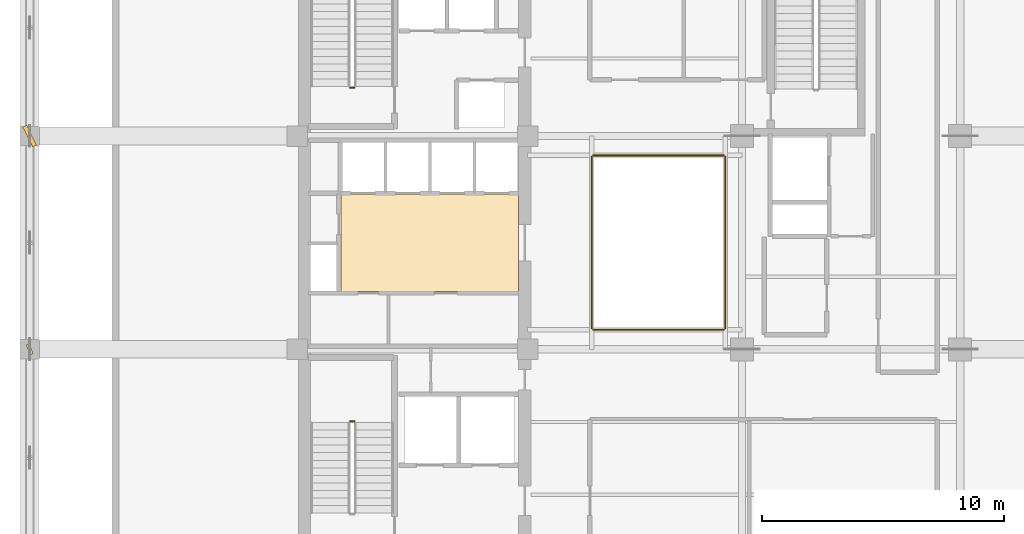
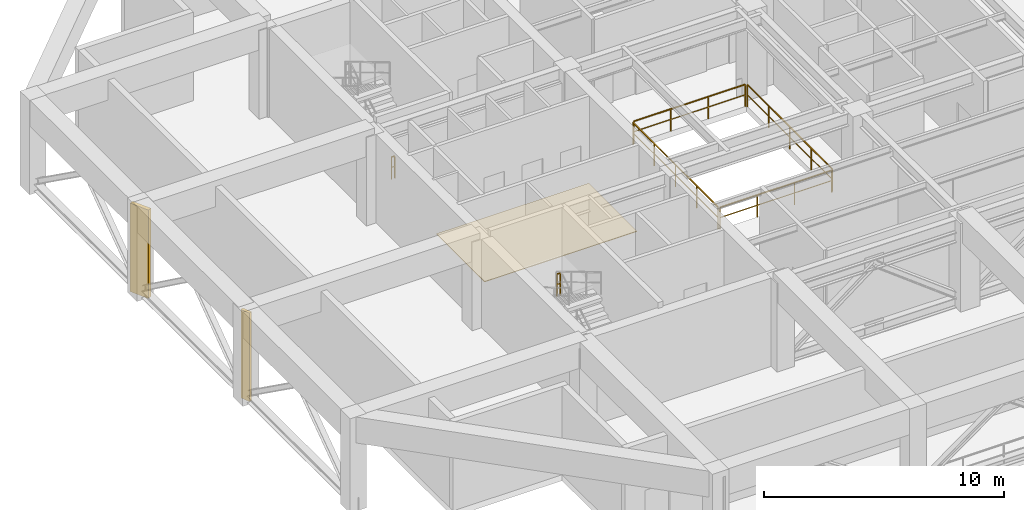
# One storey, part 8 of 10: 6 railings, 2 shading devices, 1 covering.
"""IFC4 building model written with IfcOpenShell, lengths in metres."""

from ifc_helpers import new_model, si_unit, direction, frame, origin, origin_2d, place, context, subcontext, project, spatial, polyline, rectangle, outline, extrude, material, layer, layer_set, type_object, element, save


model = new_model("IFC4")

# Units and contexts
model_context = context("Model", 3, precision=1e-05, world=origin(), true_north=direction((0.0, 1.0)))
body_context = subcontext(model_context, "Body", "Model", "MODEL_VIEW")
ifc_project = project(units=[si_unit("LENGTHUNIT", "METRE"), si_unit("AREAUNIT", "SQUARE_METRE"), si_unit("VOLUMEUNIT", "CUBIC_METRE"), si_unit("PLANEANGLEUNIT", "RADIAN"), si_unit("MASSUNIT", "GRAM", prefix="KILO")], contexts=[model_context])

# Site, building, storey
site_placement = place(None, origin())
site = spatial("IfcSite", under=ifc_project, at=site_placement, CompositionType="ELEMENT")
building_placement = place(site_placement, origin())
building = spatial("IfcBuilding", under=site, at=building_placement, Name="Kundavana Baori Tower", CompositionType="ELEMENT")
storey_placement = place(building_placement, frame((0.0, 0.0, 204.10009765625)))
storey = spatial("IfcBuildingStorey", under=building, at=storey_placement, Name="L50", CompositionType="ELEMENT", Elevation=204.10009765625)

# Covering
ifc_material_1 = material(Name="Honed Kota Stone and Terrazzo Flooring", Category="masonry")
ifc_layer = layer(ifc_material_1, 0.030029296875, Name="COV-INT-FLR")
ifc_layer_set = layer_set([ifc_layer], Name="Honed Kota Stone and Terrazzo Flooring")
covering_type = type_object("IfcCoveringType", Name="COV-INT-FLR", PredefinedType="FLOORING", material=ifc_layer_set)
covering_placement = place(storey_placement, origin())
element("IfcCovering", 1, at=covering_placement, inside=storey, type_object=covering_type, Name="L50 Core Lift Lobby Kota Stone Flooring", PredefinedType="FLOORING", context=body_context, shape_type="SweptSolid", body=[
    extrude(outline(polyline([(17.25, 26.580078125), (24.580078125, 26.580078125), (24.580078125, 30.60009765625), (17.25, 30.60009765625), (17.25, 26.580078125)])), origin(), (0.0, 0.0, 1.0), 0.02978515625),
])

# Railings
ifc_material_2 = material(Name="Architectural Patinated Bronze Metalwork")
railing_type = type_object("IfcRailingType", Name="RL-GRD-1150", PredefinedType="GUARDRAIL", material=ifc_material_2)
for number, where, name in (
    (2, (17.7900390625, 21.219970703125, 2.39990234375), "L50 ST1 stair guard 2"),
    (3, (17.7900390625, 35.0, 0.0), "L50 ST2 stair guard 4"),
):
    element("IfcRailing", number, at=place(storey_placement, frame(where)), inside=storey, type_object=railing_type, Name=name, PredefinedType="GUARDRAIL", context=body_context, shape_type="SweptSolid", body=[
        extrude(rectangle(XDim=0.048095703125, YDim=0.048095703125, at=origin_2d()), frame((0.0, 0.0, 1.1259765625), z_axis=(-1.0, 0.0, 0.0), x_axis=(0.0, -1.0, 0.0)), (0.0, 0.0, 1.0), 0.16015625),
        extrude(rectangle(XDim=0.03125, YDim=0.03125, at=origin_2d()), frame((0.0, 0.0, 0.597900390625), z_axis=(-1.0, 0.0, 0.0), x_axis=(0.0, -1.0, 0.0)), (0.0, 0.0, 1.0), 0.16015625),
        extrude(rectangle(XDim=0.0419921875, YDim=0.0419921875, at=origin_2d()), origin(), (0.0, 0.0, 1.0), 1.101806640625),
        extrude(rectangle(XDim=0.0419921875, YDim=0.0419921875, at=origin_2d()), frame((-0.16015625, 0.0, 0.0)), (0.0, 0.0, 1.0), 1.101806640625),
    ])
railing_1_placement = place(storey_placement, frame((27.659912109375, 25.0, 0.0)))
element("IfcRailing", 4, at=railing_1_placement, inside=storey, type_object=railing_type, Name="L50 Atrium Void Perimeter Guardrail S", PredefinedType="GUARDRAIL", context=body_context, shape_type="SweptSolid", body=[
    extrude(rectangle(XDim=0.048095703125, YDim=0.048095703125, at=origin_2d()), frame((0.0, 0.0, 1.1259765625), z_axis=(1.0, 0.0, 0.0), x_axis=(0.0, 1.0, 0.0)), (0.0, 0.0, 1.0), 5.380126953125),
    extrude(rectangle(XDim=0.03125, YDim=0.03125, at=origin_2d()), frame((0.0, 0.0, 0.597900390625), z_axis=(1.0, 0.0, 0.0), x_axis=(0.0, 1.0, 0.0)), (0.0, 0.0, 1.0), 5.380126953125),
    extrude(rectangle(XDim=0.0419921875, YDim=0.0419921875, at=origin_2d()), origin(), (0.0, 0.0, 1.0), 1.101806640625),
    extrude(rectangle(XDim=0.0419921875, YDim=0.0419921875, at=origin_2d()), frame((1.79345703125, 0.0, 0.0)), (0.0, 0.0, 1.0), 1.101806640625),
    extrude(rectangle(XDim=0.0419921875, YDim=0.0419921875, at=origin_2d()), frame((3.586669921875, 0.0, 0.0)), (0.0, 0.0, 1.0), 1.101806640625),
    extrude(rectangle(XDim=0.0419921875, YDim=0.0419921875, at=origin_2d()), frame((5.380126953125, 0.0, 0.0)), (0.0, 0.0, 1.0), 1.101806640625),
])
railing_2_placement = place(storey_placement, frame((33.10009765625, 25.06005859375, 0.0)))
element("IfcRailing", 5, at=railing_2_placement, inside=storey, type_object=railing_type, Name="L50 Atrium Void Perimeter Guardrail E", PredefinedType="GUARDRAIL", context=body_context, shape_type="SweptSolid", body=[
    extrude(rectangle(XDim=0.048095703125, YDim=0.048095703125, at=origin_2d()), frame((0.0, 0.0, 1.1259765625), z_axis=(0.0, 1.0, 0.0), x_axis=(-1.0, 0.0, 0.0)), (0.0, 0.0, 1.0), 7.079833984375),
    extrude(rectangle(XDim=0.03125, YDim=0.03125, at=origin_2d()), frame((0.0, 0.0, 0.597900390625), z_axis=(0.0, 1.0, 0.0), x_axis=(-1.0, 0.0, 0.0)), (0.0, 0.0, 1.0), 7.079833984375),
    extrude(rectangle(XDim=0.0419921875, YDim=0.0419921875, at=origin_2d()), origin(), (0.0, 0.0, 1.0), 1.101806640625),
    extrude(rectangle(XDim=0.0419921875, YDim=0.0419921875, at=origin_2d()), frame((0.0, 1.77001953125, 0.0)), (0.0, 0.0, 1.0), 1.101806640625),
    extrude(rectangle(XDim=0.0419921875, YDim=0.0419921875, at=origin_2d()), frame((0.0, 3.5400390625, 0.0)), (0.0, 0.0, 1.0), 1.101806640625),
    extrude(rectangle(XDim=0.0419921875, YDim=0.0419921875, at=origin_2d()), frame((0.0, 5.309814453125, 0.0)), (0.0, 0.0, 1.0), 1.101806640625),
    extrude(rectangle(XDim=0.0419921875, YDim=0.0419921875, at=origin_2d()), frame((0.0, 7.079833984375, 0.0)), (0.0, 0.0, 1.0), 1.101806640625),
])
railing_3_placement = place(storey_placement, frame((33.0400390625, 32.199951171875, 0.0)))
element("IfcRailing", 6, at=railing_3_placement, inside=storey, type_object=railing_type, Name="L50 Atrium Void Perimeter Guardrail N", PredefinedType="GUARDRAIL", context=body_context, shape_type="SweptSolid", body=[
    extrude(rectangle(XDim=0.048095703125, YDim=0.048095703125, at=origin_2d()), frame((0.0, 0.0, 1.1259765625), z_axis=(-1.0, 0.0, 0.0), x_axis=(0.0, -1.0, 0.0)), (0.0, 0.0, 1.0), 5.380126953125),
    extrude(rectangle(XDim=0.03125, YDim=0.03125, at=origin_2d()), frame((0.0, 0.0, 0.597900390625), z_axis=(-1.0, 0.0, 0.0), x_axis=(0.0, -1.0, 0.0)), (0.0, 0.0, 1.0), 5.380126953125),
    extrude(rectangle(XDim=0.0419921875, YDim=0.0419921875, at=origin_2d()), origin(), (0.0, 0.0, 1.0), 1.101806640625),
    extrude(rectangle(XDim=0.0419921875, YDim=0.0419921875, at=origin_2d()), frame((-1.79345703125, 0.0, 0.0)), (0.0, 0.0, 1.0), 1.101806640625),
    extrude(rectangle(XDim=0.0419921875, YDim=0.0419921875, at=origin_2d()), frame((-3.586669921875, 0.0, 0.0)), (0.0, 0.0, 1.0), 1.101806640625),
    extrude(rectangle(XDim=0.0419921875, YDim=0.0419921875, at=origin_2d()), frame((-5.380126953125, 0.0, 0.0)), (0.0, 0.0, 1.0), 1.101806640625),
])
railing_4_placement = place(storey_placement, frame((27.60009765625, 32.139892578125, 0.0)))
element("IfcRailing", 7, at=railing_4_placement, inside=storey, type_object=railing_type, Name="L50 Atrium Void Perimeter Guardrail W", PredefinedType="GUARDRAIL", context=body_context, shape_type="SweptSolid", body=[
    extrude(rectangle(XDim=0.048095703125, YDim=0.048095703125, at=origin_2d()), frame((0.0, 0.0, 1.1259765625), z_axis=(0.0, -1.0, 0.0), x_axis=(1.0, 0.0, 0.0)), (0.0, 0.0, 1.0), 7.079833984375),
    extrude(rectangle(XDim=0.03125, YDim=0.03125, at=origin_2d()), frame((0.0, 0.0, 0.597900390625), z_axis=(0.0, -1.0, 0.0), x_axis=(1.0, 0.0, 0.0)), (0.0, 0.0, 1.0), 7.079833984375),
    extrude(rectangle(XDim=0.0419921875, YDim=0.0419921875, at=origin_2d()), origin(), (0.0, 0.0, 1.0), 1.101806640625),
    extrude(rectangle(XDim=0.0419921875, YDim=0.0419921875, at=origin_2d()), frame((0.0, -1.77001953125, 0.0)), (0.0, 0.0, 1.0), 1.101806640625),
    extrude(rectangle(XDim=0.0419921875, YDim=0.0419921875, at=origin_2d()), frame((0.0, -3.5400390625, 0.0)), (0.0, 0.0, 1.0), 1.101806640625),
    extrude(rectangle(XDim=0.0419921875, YDim=0.0419921875, at=origin_2d()), frame((0.0, -5.309814453125, 0.0)), (0.0, 0.0, 1.0), 1.101806640625),
    extrude(rectangle(XDim=0.0419921875, YDim=0.0419921875, at=origin_2d()), frame((0.0, -7.079833984375, 0.0)), (0.0, 0.0, 1.0), 1.101806640625),
])

# Shading devices
ifc_material_3 = material(Name="Red-Buff Dholpur Sandstone Cladding on Concrete C40/50", Category="masonry")
shading_device_type_1 = type_object("IfcShadingDeviceType", Name="SHD-FIN-920", PredefinedType="JALOUSIE", material=ifc_material_3)
shading_device_1_placement = place(storey_placement, frame((4.39990234375, 33.0, 0.0), z_axis=(0.0, 0.0, 1.0), x_axis=(0.898104345953, 0.439782427776, 0.0)))
element("IfcShadingDevice", 8, at=shading_device_1_placement, inside=storey, type_object=shading_device_type_1, Name="L50 Sweeping Dholpur Sandstone Facade Fin 7", PredefinedType="JALOUSIE", context=body_context, shape_type="SweptSolid", body=[
    extrude(rectangle(XDim=0.179931640625, YDim=0.919921875, at=origin_2d()), origin(), (0.0, 0.0, 1.0), 4.5),
])
ifc_material_4 = material(Name="Architectural Patinated Bronze Metalwork")
shading_device_type_2 = type_object("IfcShadingDeviceType", Name="SHD-LOUV-450", PredefinedType="SHUTTER", material=ifc_material_4)
shading_device_2_placement = place(storey_placement, frame((4.39990234375, 24.199951171875, 0.0), z_axis=(0.0, 0.0, 1.0), x_axis=(0.927053035713, 0.374930218808, 0.0)))
element("IfcShadingDevice", 9, at=shading_device_2_placement, inside=storey, type_object=shading_device_type_2, Name="L50 Sweeping Dholpur Sandstone Facade Fin 6", PredefinedType="SHUTTER", context=body_context, shape_type="SweptSolid", body=[
    extrude(rectangle(XDim=0.139892578125, YDim=0.449951171875, at=origin_2d()), origin(), (0.0, 0.0, 1.0), 4.5),
])

save(model, "model.ifc")
